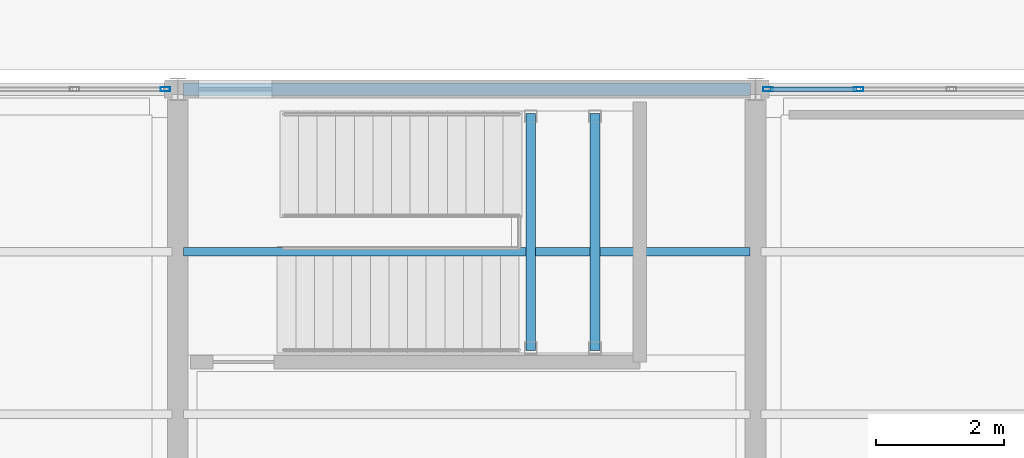
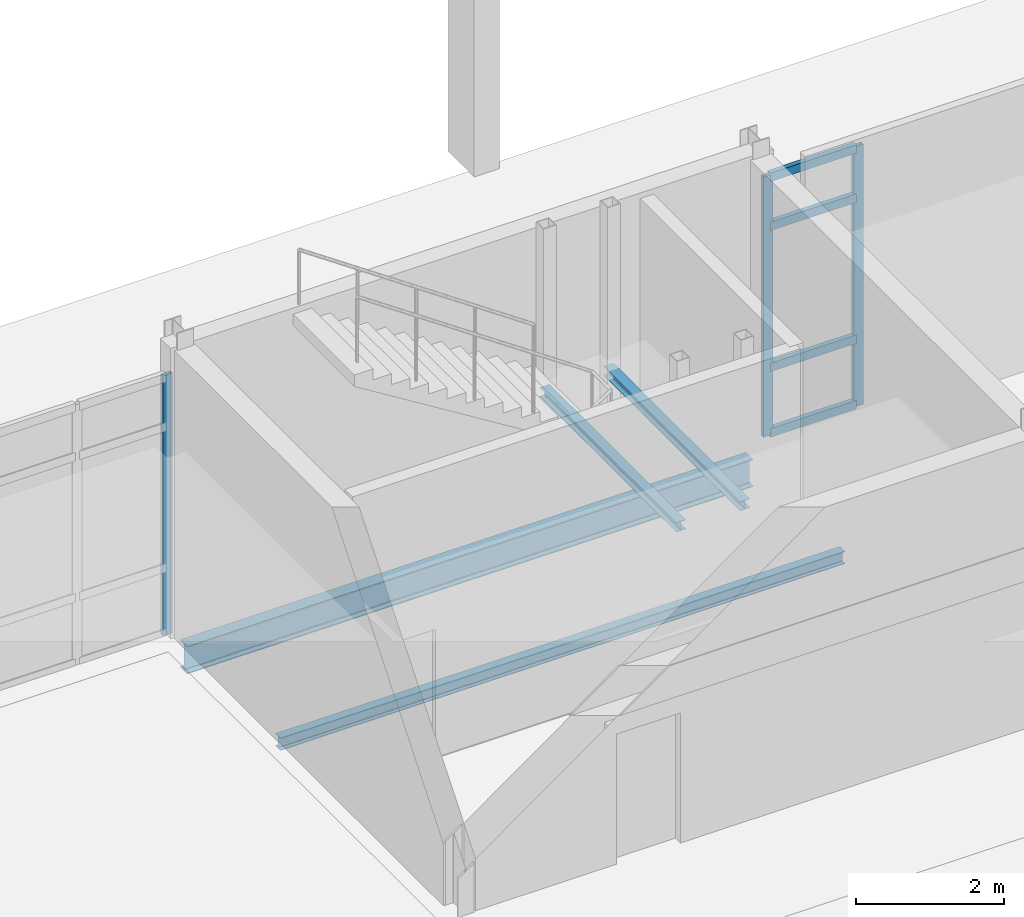
# One storey, part 93 of 161: 7 members, 4 beams, 2 elements without a shape of their own.
"""IFC4 building model written with IfcOpenShell, lengths in metres."""

from ifc_helpers import new_model, si_unit, direction, frame, origin, origin_2d, place, context, subcontext, project, spatial, hollow_rectangle, i_section, extrude, material, material_profile, profile_set, type_object, element, aggregate, save


model = new_model("IFC4")

# Units and contexts
model_context = context("Model", 3, precision=1e-05, world=origin(), true_north=direction((0.0, 1.0)))
body_context = subcontext(model_context, "Body", "Model", "MODEL_VIEW")
ifc_project = project(units=[si_unit("LENGTHUNIT", "METRE"), si_unit("AREAUNIT", "SQUARE_METRE"), si_unit("VOLUMEUNIT", "CUBIC_METRE"), si_unit("PLANEANGLEUNIT", "RADIAN"), si_unit("MASSUNIT", "GRAM", prefix="KILO")], contexts=[model_context])

# Site, building, storey
site_placement = place(None, origin())
site = spatial("IfcSite", under=ifc_project, at=site_placement, CompositionType="ELEMENT")
building_placement = place(site_placement, origin())
building = spatial("IfcBuilding", under=site, at=building_placement, Name="Caisbarro Railhouse Central Library", CompositionType="ELEMENT")
storey_placement = place(building_placement, origin())
storey = spatial("IfcBuildingStorey", under=building, at=storey_placement, Name="L00", CompositionType="ELEMENT", Elevation=0.0)

# Beams
ifc_material_1 = material(Name="Steel ASTM A572 Grade 50", Category="steel")
ifc_material_profile_1 = material_profile(ifc_material_1, i_section(OverallWidth=0.133056640625, OverallDepth=0.20703125, WebThickness=0.005859375, FlangeThickness=0.00830078125, FilletRadius=0.010009765625, at=origin_2d()), Name="W200X26.6")
ifc_profile_set_1 = profile_set([ifc_material_profile_1], Name="Steel ASTM A572 Grade 50")
beam_type_1 = type_object("IfcBeamType", Name="BM-J07", PredefinedType="JOIST", material=ifc_profile_set_1)
beam_1_placement = place(storey_placement, frame((81.089111328125, 103.86669921875, -0.353515625), z_axis=(1.0, 0.0, 0.0), x_axis=(0.0, 1.0, 0.0)))
element("IfcBeam", 1, at=beam_1_placement, inside=storey, type_object=beam_type_1, Name="J07 beam L00 #674", PredefinedType="JOIST", context=body_context, shape_type="SweptSolid", body=[
    extrude(i_section(OverallWidth=0.133056640625, OverallDepth=0.20703125, WebThickness=0.005859375, FlangeThickness=0.00830078125, FilletRadius=0.010009765625, at=origin_2d()), origin(), (0.0, 0.0, 1.0), 8.82177734375),
])
ifc_material_profile_2 = material_profile(ifc_material_1, i_section(OverallWidth=0.152099609375, OverallDepth=0.152099609375, WebThickness=0.005859375, FlangeThickness=0.006591796875, FilletRadius=0.008056640625, at=origin_2d()), Name="W150X22.5")
ifc_profile_set_2 = profile_set([ifc_material_profile_2], Name="Steel ASTM A572 Grade 50")
beam_type_2 = type_object("IfcBeamType", Name="BM-SL00", PredefinedType="BEAM", material=ifc_profile_set_2)
for number, where, z_axis, x_axis, name in (
    (2, (86.5, 102.330078125, 2.25390625), (0.0, 1.0, 0.0), (-1.0, 0.0, 0.0), "SL00 Stair Landing Support Beam K5 L00 W"),
    (3, (87.5, 102.330078125, 2.25390625), (0.0, 1.0, 0.0), (-1.0, 0.0, 0.0), "SL00 Stair Landing Support Beam K5 L00 E"),
):
    element("IfcBeam", number, at=place(storey_placement, frame(where, z_axis=z_axis, x_axis=x_axis)), inside=storey, type_object=beam_type_2, Name=name, PredefinedType="BEAM", context=body_context, shape_type="SweptSolid", body=[
        extrude(i_section(OverallWidth=0.152099609375, OverallDepth=0.152099609375, WebThickness=0.005859375, FlangeThickness=0.006591796875, FilletRadius=0.008056640625, at=origin_2d()), origin(), (0.0, 0.0, 1.0), 3.68994140625),
    ])
ifc_material_profile_3 = material_profile(ifc_material_1, i_section(OverallWidth=0.18994140625, OverallDepth=0.45703125, WebThickness=0.009033203125, FlangeThickness=0.014404296875, FilletRadius=0.01806640625, at=origin_2d()), Name="W460X74.0")
ifc_profile_set_3 = profile_set([ifc_material_profile_3], Name="Steel ASTM A572 Grade 50")
beam_type_3 = type_object("IfcBeamType", Name="BM-SP01", PredefinedType="SPANDREL", material=ifc_profile_set_3)
beam_2_placement = place(storey_placement, frame((81.080078125, 106.39990234375, -0.478515625), z_axis=(1.0, 0.0, 0.0), x_axis=(0.0, 1.0, 0.0)))
element("IfcBeam", 4, at=beam_2_placement, inside=storey, type_object=beam_type_3, Name="SP01 beam L00 #631", PredefinedType="SPANDREL", context=body_context, shape_type="SweptSolid", body=[
    extrude(i_section(OverallWidth=0.18994140625, OverallDepth=0.45703125, WebThickness=0.009033203125, FlangeThickness=0.014404296875, FilletRadius=0.01806640625, at=origin_2d()), origin(), (0.0, 0.0, 1.0), 8.83984375),
])

# Curtain wall, member
ifc_material_2 = material(Name="Anodised architectural aluminium", Category="aluminium")
curtain_wall_type = type_object("IfcCurtainWallType", Name="CW-CW03", PredefinedType="NOTDEFINED", material=ifc_material_2)
curtain_wall_1_placement = place(storey_placement, origin())
curtain_wall_1 = element("IfcCurtainWall", 5, at=curtain_wall_1_placement, inside=storey, type_object=curtain_wall_type, Name="CW03 curtain wall L00 #169", PredefinedType="NOTDEFINED")
ifc_material_profile_4 = material_profile(ifc_material_2, hollow_rectangle(XDim=0.06494140625, YDim=0.14990234375, WallThickness=0.00390625, at=origin_2d()), Name="ALU-MUL-65X150")
ifc_profile_set_4 = profile_set([ifc_material_profile_4], Name="Anodised architectural aluminium")
member_type_1 = type_object("IfcMemberType", Name="CWM-M02", PredefinedType="MULLION", material=ifc_profile_set_4)
member_1_placement = place(storey_placement, frame((80.8076171875, 106.39990234375, 0.0), z_axis=(0.0, 0.0, 1.0), x_axis=(0.0, 1.0, 0.0)))
member_1 = element("IfcMember", 6, at=member_1_placement, type_object=member_type_1, Name="CW03 mullion 7", PredefinedType="MULLION", context=body_context, shape_type="SweptSolid", body=[
    extrude(hollow_rectangle(XDim=0.06494140625, YDim=0.14990234375, WallThickness=0.00390625, at=origin_2d()), origin(), (0.0, 0.0, 1.0), 4.300048828125),
])
aggregate(curtain_wall_1, [member_1])

# Curtain wall, members
curtain_wall_2_placement = place(storey_placement, origin())
curtain_wall_2 = element("IfcCurtainWall", 7, at=curtain_wall_2_placement, inside=storey, type_object=curtain_wall_type, Name="CW03 curtain wall L00 #171", PredefinedType="NOTDEFINED")
member_2_placement = place(storey_placement, frame((90.1923828125, 106.39990234375, 0.0), z_axis=(0.0, 0.0, 1.0), x_axis=(0.0, 1.0, 0.0)))
member_2 = element("IfcMember", 8, at=member_2_placement, type_object=member_type_1, Name="CW03 mullion 1", PredefinedType="MULLION", context=body_context, shape_type="SweptSolid", body=[
    extrude(hollow_rectangle(XDim=0.06494140625, YDim=0.14990234375, WallThickness=0.00390625, at=origin_2d()), origin(), (0.0, 0.0, 1.0), 4.300048828125),
])
member_3_placement = place(storey_placement, frame((91.606689453125, 106.39990234375, 0.0), z_axis=(0.0, 0.0, 1.0), x_axis=(0.0, 1.0, 0.0)))
member_3 = element("IfcMember", 9, at=member_3_placement, type_object=member_type_1, Name="CW03 mullion 2", PredefinedType="MULLION", context=body_context, shape_type="SweptSolid", body=[
    extrude(hollow_rectangle(XDim=0.06494140625, YDim=0.14990234375, WallThickness=0.00390625, at=origin_2d()), origin(), (0.0, 0.0, 1.0), 4.300048828125),
])
ifc_material_profile_5 = material_profile(ifc_material_2, hollow_rectangle(XDim=0.074951171875, YDim=0.139892578125, WallThickness=0.00390625, at=origin_2d()), Name="ALU-TRN-75X140")
ifc_profile_set_5 = profile_set([ifc_material_profile_5], Name="Anodised architectural aluminium")
member_type_2 = type_object("IfcMemberType", Name="CWT-T01", PredefinedType="USERDEFINED", material=ifc_profile_set_5)
member_4_placement = place(storey_placement, frame((90.22509765625, 106.39990234375, 0.03759765625), z_axis=(1.0, 0.0, 0.0), x_axis=(0.0, 1.0, 0.0)))
member_4 = element("IfcMember", 10, at=member_4_placement, type_object=member_type_2, Name="CW03 transom 1.1", ObjectType="TRANSOM", PredefinedType="USERDEFINED", context=body_context, shape_type="SweptSolid", body=[
    extrude(hollow_rectangle(XDim=0.074951171875, YDim=0.139892578125, WallThickness=0.00390625, at=origin_2d()), origin(), (0.0, 0.0, 1.0), 1.34912109375),
])
member_5_placement = place(storey_placement, frame((90.22509765625, 106.39990234375, 1.1201171875), z_axis=(1.0, 0.0, 0.0), x_axis=(0.0, 1.0, 0.0)))
member_5 = element("IfcMember", 11, at=member_5_placement, type_object=member_type_2, Name="CW03 transom 1.2", ObjectType="TRANSOM", PredefinedType="USERDEFINED", context=body_context, shape_type="SweptSolid", body=[
    extrude(hollow_rectangle(XDim=0.074951171875, YDim=0.139892578125, WallThickness=0.00390625, at=origin_2d()), origin(), (0.0, 0.0, 1.0), 1.34912109375),
])
member_6_placement = place(storey_placement, frame((90.22509765625, 106.39990234375, 3.449951171875), z_axis=(1.0, 0.0, 0.0), x_axis=(0.0, 1.0, 0.0)))
member_6 = element("IfcMember", 12, at=member_6_placement, type_object=member_type_2, Name="CW03 transom 1.3", ObjectType="TRANSOM", PredefinedType="USERDEFINED", context=body_context, shape_type="SweptSolid", body=[
    extrude(hollow_rectangle(XDim=0.074951171875, YDim=0.139892578125, WallThickness=0.00390625, at=origin_2d()), origin(), (0.0, 0.0, 1.0), 1.34912109375),
])
member_7_placement = place(storey_placement, frame((90.22509765625, 106.39990234375, 4.262451171875), z_axis=(1.0, 0.0, 0.0), x_axis=(0.0, 1.0, 0.0)))
member_7 = element("IfcMember", 13, at=member_7_placement, type_object=member_type_2, Name="CW03 transom 1.4", ObjectType="TRANSOM", PredefinedType="USERDEFINED", context=body_context, shape_type="SweptSolid", body=[
    extrude(hollow_rectangle(XDim=0.074951171875, YDim=0.139892578125, WallThickness=0.00390625, at=origin_2d()), origin(), (0.0, 0.0, 1.0), 1.34912109375),
])
aggregate(curtain_wall_2, [member_2, member_3, member_4, member_5, member_6, member_7])

save(model, "model.ifc")
